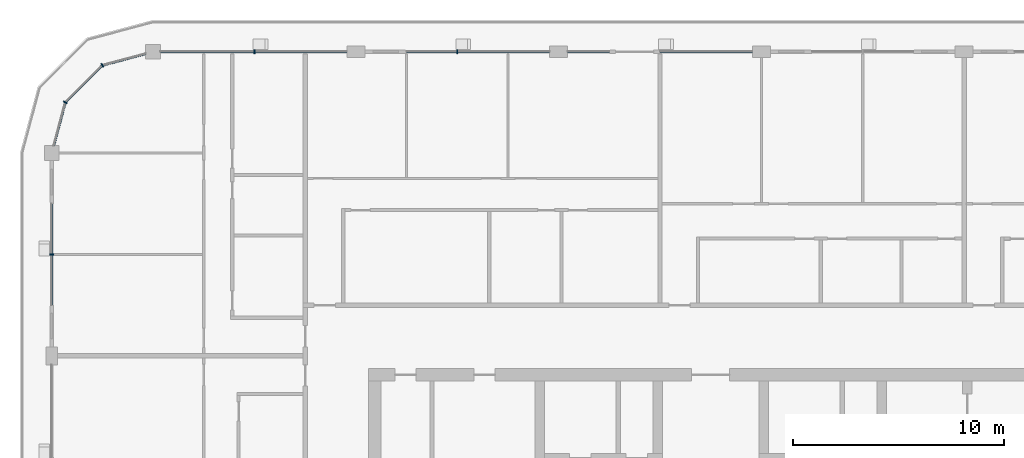
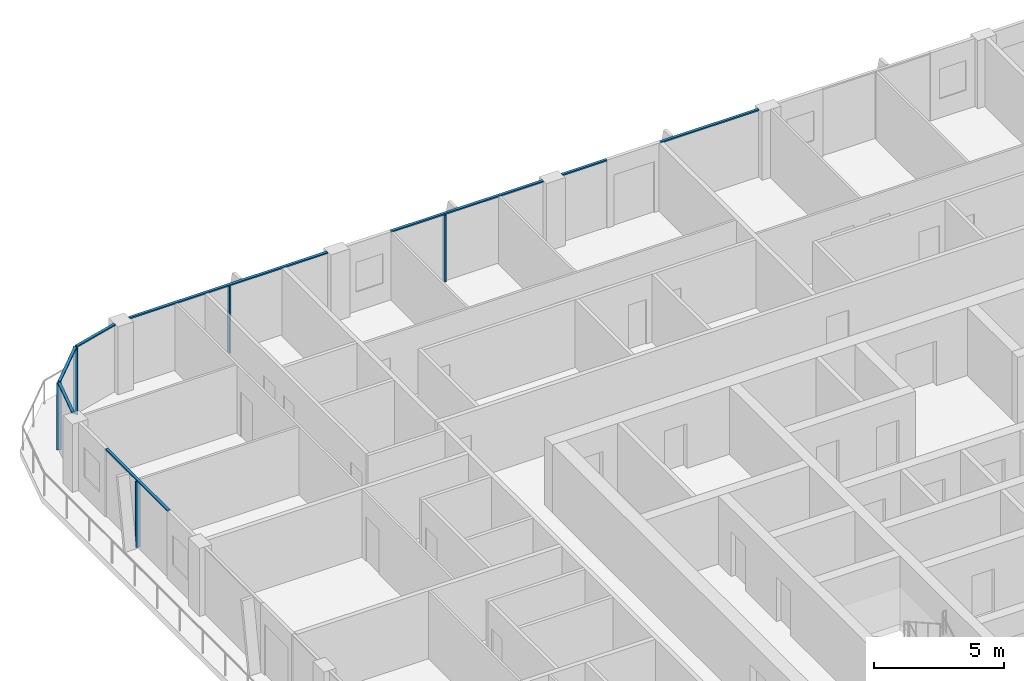
# One storey, part 5 of 22: 13 members, 5 elements without a shape of their own.
"""IFC4 building model written with IfcOpenShell, lengths in metres."""

from ifc_helpers import new_model, si_unit, direction, frame, origin, origin_2d, place, context, subcontext, project, spatial, rectangle, extrude, material, layer, layer_set, material_profile, profile_set, type_object, element, aggregate, save


model = new_model("IFC4")

# Units and contexts
model_context = context("Model", 3, precision=1e-05, world=origin(), true_north=direction((0.0, 1.0)))
body_context = subcontext(model_context, "Body", "Model", "MODEL_VIEW")
ifc_project = project(units=[si_unit("LENGTHUNIT", "METRE"), si_unit("AREAUNIT", "SQUARE_METRE"), si_unit("VOLUMEUNIT", "CUBIC_METRE"), si_unit("PLANEANGLEUNIT", "RADIAN"), si_unit("MASSUNIT", "GRAM", prefix="KILO")], contexts=[model_context])

# Site, building, storey
site_placement = place(None, origin())
site = spatial("IfcSite", under=ifc_project, at=site_placement, CompositionType="ELEMENT")
building_placement = place(site_placement, origin())
building = spatial("IfcBuilding", under=site, at=building_placement, Name="Madar Terraces", CompositionType="ELEMENT")
storey_placement = place(building_placement, frame((0.0, 0.0, 249.199951171875)))
storey = spatial("IfcBuildingStorey", under=building, at=storey_placement, Name="L65", CompositionType="ELEMENT", Elevation=249.199951171875)

# Curtain wall, member
ifc_material_1 = material(Name="Glass, ceramic frit dark grey, with black aluminium frame", Category="aluminium")
ifc_layer = layer(ifc_material_1, 0.199951171875)
ifc_layer_set = layer_set([ifc_layer], Name="Facade curtain wall, fritted glass")
curtain_wall_type = type_object("IfcCurtainWallType", Name="Facade curtain wall, fritted glass", PredefinedType="NOTDEFINED", material=ifc_layer_set)
curtain_wall_1_placement = place(storey_placement, origin())
curtain_wall_1 = element("IfcCurtainWall", 1, at=curtain_wall_1_placement, inside=storey, type_object=curtain_wall_type, Name="Outer skin curtain wall north bay 4", PredefinedType="NOTDEFINED")
ifc_material_2 = material(Name="Aluminium, black anodised", Category="aluminium")
ifc_material_profile_1 = material_profile(ifc_material_2, rectangle(XDim=0.199951171875, YDim=0.06005859375, at=origin_2d()), Name="Facade mullion 60x200")
ifc_profile_set_1 = profile_set([ifc_material_profile_1], Name="Aluminium, black anodised")
member_type_1 = type_object("IfcMemberType", Name="Facade mullion 60x200", PredefinedType="MULLION", material=ifc_profile_set_1)
member_1_placement = place(storey_placement, frame((19.199951171875, 52.800048828125, 0.0), z_axis=(0.0, 0.0, 1.0), x_axis=(0.0, -1.0, 0.0)))
member_1 = element("IfcMember", 2, at=member_1_placement, type_object=member_type_1, Name="Mullion 1", PredefinedType="MULLION", context=body_context, shape_type="SweptSolid", body=[
    extrude(rectangle(XDim=0.199951171875, YDim=0.06005859375, at=origin_2d()), origin(), (0.0, 0.0, 1.0), 3.14013671875),
])

curtain_wall_2_placement = place(storey_placement, origin())
curtain_wall_2 = element("IfcCurtainWall", 3, at=curtain_wall_2_placement, inside=storey, type_object=curtain_wall_type, Name="Outer skin curtain wall north bay 5", PredefinedType="NOTDEFINED")
member_2_placement = place(storey_placement, frame((9.60009765625, 52.800048828125, 0.0), z_axis=(0.0, 0.0, 1.0), x_axis=(0.0, -1.0, 0.0)))
member_2 = element("IfcMember", 4, at=member_2_placement, type_object=member_type_1, Name="Mullion 1", PredefinedType="MULLION", context=body_context, shape_type="SweptSolid", body=[
    extrude(rectangle(XDim=0.199951171875, YDim=0.06005859375, at=origin_2d()), origin(), (0.0, 0.0, 1.0), 3.14013671875),
])

curtain_wall_3_placement = place(storey_placement, origin())
curtain_wall_3 = element("IfcCurtainWall", 5, at=curtain_wall_3_placement, inside=storey, type_object=curtain_wall_type, Name="Outer skin curtain wall west bay 1", PredefinedType="NOTDEFINED")
member_3_placement = place(storey_placement, frame((0.0, 43.199951171875, 0.0), z_axis=(0.0, 0.0, 1.0), x_axis=(1.0, 0.0, 0.0)))
member_3 = element("IfcMember", 6, at=member_3_placement, type_object=member_type_1, Name="Mullion 1", PredefinedType="MULLION", context=body_context, shape_type="SweptSolid", body=[
    extrude(rectangle(XDim=0.199951171875, YDim=0.06005859375, at=origin_2d()), origin(), (0.0, 0.0, 1.0), 3.14013671875),
])

# Curtain wall, members
curtain_wall_4_placement = place(storey_placement, origin())
curtain_wall_4 = element("IfcCurtainWall", 7, at=curtain_wall_4_placement, inside=storey, type_object=curtain_wall_type, Name="Outer skin curtain wall north-west corner", PredefinedType="NOTDEFINED")
member_4_placement = place(storey_placement, frame((2.39990234375, 52.156982421875, 0.0), z_axis=(0.0, 0.0, 1.0), x_axis=(0.499999989586, -0.866025409797, 0.0)))
member_4 = element("IfcMember", 8, at=member_4_placement, type_object=member_type_1, Name="Mullion 1", PredefinedType="MULLION", context=body_context, shape_type="SweptSolid", body=[
    extrude(rectangle(XDim=0.199951171875, YDim=0.06005859375, at=origin_2d()), origin(), (0.0, 0.0, 1.0), 3.14013671875),
])
member_5_placement = place(storey_placement, frame((0.64306640625, 50.39990234375, 0.0), z_axis=(0.0, 0.0, 1.0), x_axis=(0.866025409797, -0.499999989586, 0.0)))
member_5 = element("IfcMember", 9, at=member_5_placement, type_object=member_type_1, Name="Mullion 2", PredefinedType="MULLION", context=body_context, shape_type="SweptSolid", body=[
    extrude(rectangle(XDim=0.199951171875, YDim=0.06005859375, at=origin_2d()), origin(), (0.0, 0.0, 1.0), 3.14013671875),
])

curtain_wall_5_placement = place(storey_placement, origin())
curtain_wall_5 = element("IfcCurtainWall", 10, at=curtain_wall_5_placement, inside=storey, type_object=curtain_wall_type, Name="Outer skin curtain wall north bay 3", PredefinedType="NOTDEFINED")
ifc_material_3 = material(Name="Aluminium, black anodised", Category="aluminium")
ifc_material_profile_2 = material_profile(ifc_material_3, rectangle(XDim=0.1201171875, YDim=0.06005859375, at=origin_2d()), Name="Facade transom 60x120")
ifc_profile_set_2 = profile_set([ifc_material_profile_2], Name="Aluminium, black anodised")
member_type_2 = type_object("IfcMemberType", Name="Facade transom 60x120", PredefinedType="USERDEFINED", material=ifc_profile_set_2)
member_6_placement = place(storey_placement, frame((33.175048828125, 52.800048828125, 3.170166015625), z_axis=(-1.0, 0.0, 0.0), x_axis=(0.0, -1.0, 0.0)))
member_6 = element("IfcMember", 11, at=member_6_placement, type_object=member_type_2, Name="Transom 1", ObjectType="TRANSOM", PredefinedType="USERDEFINED", context=body_context, shape_type="SweptSolid", body=[
    extrude(rectangle(XDim=0.1201171875, YDim=0.06005859375, at=origin_2d()), origin(), (0.0, 0.0, 1.0), 4.375),
])
member_7_placement = place(storey_placement, frame((26.39990234375, 52.800048828125, 3.170166015625), z_axis=(-1.0, 0.0, 0.0), x_axis=(0.0, -1.0, 0.0)))
member_7 = element("IfcMember", 12, at=member_7_placement, type_object=member_type_2, Name="Transom 2", ObjectType="TRANSOM", PredefinedType="USERDEFINED", context=body_context, shape_type="SweptSolid", body=[
    extrude(rectangle(XDim=0.1201171875, YDim=0.06005859375, at=origin_2d()), origin(), (0.0, 0.0, 1.0), 1.974853515625),
])
aggregate(curtain_wall_5, [member_6, member_7])

# Member
member_8_placement = place(storey_placement, frame((23.574951171875, 52.800048828125, 3.170166015625), z_axis=(-1.0, 0.0, 0.0), x_axis=(0.0, -1.0, 0.0)))
member_8 = element("IfcMember", 13, at=member_8_placement, type_object=member_type_2, Name="Transom 1", ObjectType="TRANSOM", PredefinedType="USERDEFINED", context=body_context, shape_type="SweptSolid", body=[
    extrude(rectangle(XDim=0.1201171875, YDim=0.06005859375, at=origin_2d()), origin(), (0.0, 0.0, 1.0), 6.77490234375),
])

aggregate(curtain_wall_1, [member_1, member_8])

member_9_placement = place(storey_placement, frame((13.97509765625, 52.800048828125, 3.170166015625), z_axis=(-1.0, 0.0, 0.0), x_axis=(0.0, -1.0, 0.0)))
member_9 = element("IfcMember", 14, at=member_9_placement, type_object=member_type_2, Name="Transom 1", ObjectType="TRANSOM", PredefinedType="USERDEFINED", context=body_context, shape_type="SweptSolid", body=[
    extrude(rectangle(XDim=0.1201171875, YDim=0.06005859375, at=origin_2d()), origin(), (0.0, 0.0, 1.0), 8.8251953125),
])

aggregate(curtain_wall_2, [member_2, member_9])

member_10_placement = place(storey_placement, frame((0.0, 45.60009765625, 3.170166015625), z_axis=(0.0, -1.0, 0.0), x_axis=(1.0, 0.0, 0.0)))
member_10 = element("IfcMember", 15, at=member_10_placement, type_object=member_type_2, Name="Transom 1", ObjectType="TRANSOM", PredefinedType="USERDEFINED", context=body_context, shape_type="SweptSolid", body=[
    extrude(rectangle(XDim=0.1201171875, YDim=0.06005859375, at=origin_2d()), origin(), (0.0, 0.0, 1.0), 4.800048828125),
])

aggregate(curtain_wall_3, [member_3, member_10])

member_11_placement = place(storey_placement, frame((4.449951171875, 52.706298828125, 3.170166015625), z_axis=(-0.965928259589, -0.258809963731, 0.0), x_axis=(0.258809963731, -0.965928259589, 0.0)))
member_11 = element("IfcMember", 16, at=member_11_placement, type_object=member_type_2, Name="Transom 1", ObjectType="TRANSOM", PredefinedType="USERDEFINED", context=body_context, shape_type="SweptSolid", body=[
    extrude(rectangle(XDim=0.1201171875, YDim=0.06005859375, at=origin_2d()), origin(), (0.0, 0.0, 1.0), 2.09228515625),
])

member_12_placement = place(storey_placement, frame((2.37890625, 52.1357421875, 3.170166015625), z_axis=(-0.707106781187, -0.707106781187, 0.0), x_axis=(0.707106781187, -0.707106781187, 0.0)))
member_12 = element("IfcMember", 17, at=member_12_placement, type_object=member_type_2, Name="Transom 2", ObjectType="TRANSOM", PredefinedType="USERDEFINED", context=body_context, shape_type="SweptSolid", body=[
    extrude(rectangle(XDim=0.1201171875, YDim=0.06005859375, at=origin_2d()), origin(), (0.0, 0.0, 1.0), 2.4248046875),
])

member_13_placement = place(storey_placement, frame((0.63525390625, 50.37109375, 3.170166015625), z_axis=(-0.258809963731, -0.965928259589, 0.0), x_axis=(0.965928259589, -0.258809963731, 0.0)))
member_13 = element("IfcMember", 18, at=member_13_placement, type_object=member_type_2, Name="Transom 3", ObjectType="TRANSOM", PredefinedType="USERDEFINED", context=body_context, shape_type="SweptSolid", body=[
    extrude(rectangle(XDim=0.1201171875, YDim=0.06005859375, at=origin_2d()), origin(), (0.0, 0.0, 1.0), 2.09228515625),
])

aggregate(curtain_wall_4, [member_4, member_11, member_5, member_12, member_13])

save(model, "model.ifc")
